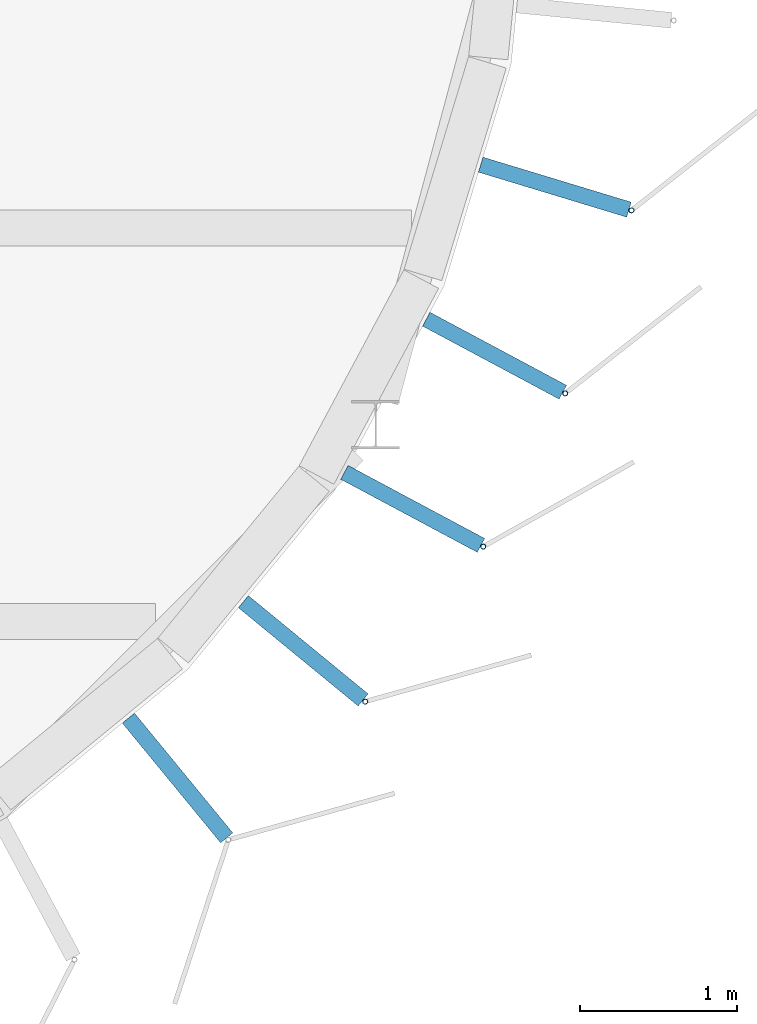
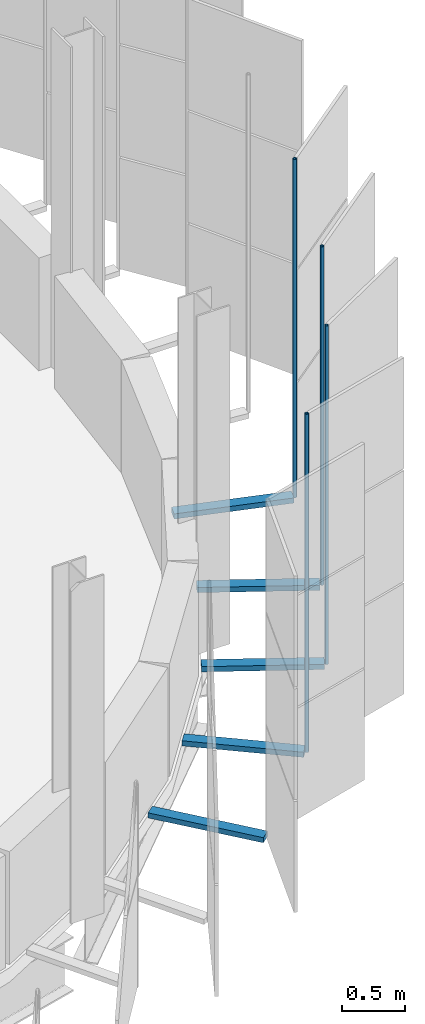
# One storey, part 93 of 199: 9 discrete accessories.
"""IFC4 building model written with IfcOpenShell, lengths in metres."""

from ifc_helpers import new_model, si_unit, direction, frame, origin, origin_2d, place, context, subcontext, project, spatial, rectangle, hollow_circle, extrude, material, material_profile, profile_set, type_object, element, save


model = new_model("IFC4")

# Units and contexts
model_context = context("Model", 3, precision=1e-05, world=origin(), true_north=direction((0.0, 1.0)))
body_context = subcontext(model_context, "Body", "Model", "MODEL_VIEW")
ifc_project = project(units=[si_unit("LENGTHUNIT", "METRE"), si_unit("AREAUNIT", "SQUARE_METRE"), si_unit("VOLUMEUNIT", "CUBIC_METRE"), si_unit("PLANEANGLEUNIT", "RADIAN"), si_unit("MASSUNIT", "GRAM", prefix="KILO")], contexts=[model_context])

# Site, building, storey
site_placement = place(None, origin())
site = spatial("IfcSite", under=ifc_project, at=site_placement, CompositionType="ELEMENT")
building_placement = place(site_placement, origin())
building = spatial("IfcBuilding", under=site, at=building_placement, Name="Parallax Yard Mobility Hub", CompositionType="ELEMENT")
storey_placement = place(building_placement, frame((0.0, 0.0, 9.89990234375)))
storey = spatial("IfcBuildingStorey", under=building, at=storey_placement, Name="L03", CompositionType="ELEMENT", Elevation=9.89990234375)

# Discrete accessories
ifc_material_1 = material(Name="Steel ASTM A36, hot-dip galvanised", Category="steel")
discrete_accessory_type_1 = type_object("IfcDiscreteAccessoryType", Name="Hinge bracket plate 100x50", PredefinedType="BRACKET", material=ifc_material_1)
for number, where, z_axis, x_axis, name in (
    (1, (222.73681640625, 24.006103515625, -0.02490234375), (0.0, 0.0, 1.0), (0.634393284164, -0.773010453363, 0.0), "Hinge bracket plate bay 32.6 level L03"),
    (2, (223.535400390625, 24.81396484375, -0.02490234375), (0.0, 0.0, 1.0), (0.773010453363, -0.634393284164, 0.0), "Hinge bracket plate bay 32.7 level L03"),
    (3, (224.230712890625, 25.7158203125, -0.02490234375), (0.0, 0.0, 1.0), (0.881921264348, -0.471396736826, 0.0), "Hinge bracket plate bay 32.8 level L03"),
    (4, (224.750732421875, 26.68896484375, -0.02490234375), (0.0, 0.0, 1.0), (0.881921264348, -0.471396736826, 0.0), "Hinge bracket plate bay 32.9 level L03"),
    (5, (225.1337890625, 27.759765625, -0.02490234375), (0.0, 0.0, 1.0), (0.956940335732, -0.290284677254, 0.0), "Hinge bracket plate bay 32.10 level L03"),
):
    element("IfcDiscreteAccessory", number, at=place(storey_placement, frame(where, z_axis=z_axis, x_axis=x_axis)), inside=storey, type_object=discrete_accessory_type_1, Name=name, PredefinedType="BRACKET", context=body_context, shape_type="SweptSolid", body=[
        extrude(rectangle(XDim=0.984130859375, YDim=0.10009765625, at=origin_2d()), origin(), (0.0, 0.0, 1.0), 0.050048828125),
    ])
ifc_material_2 = material(Name="Steel ASTM A500 Gr C, hot-dip galvanised", Category="steel")
ifc_material_profile = material_profile(ifc_material_2, hollow_circle(Radius=0.016845703125, WallThickness=0.003173828125, at=origin_2d()), Name="CHS 33.7x3.2")
ifc_profile_set = profile_set([ifc_material_profile], Name="Steel ASTM A500 Gr C, hot-dip galvanised")
discrete_accessory_type_2 = type_object("IfcDiscreteAccessoryType", Name="Hinge post CHS 33.7x3.2", PredefinedType="BRACKET", material=ifc_profile_set)
for number, where, z_axis, x_axis, name in (
    (6, (223.928466796875, 24.491455078125, 0.0), (0.0, 0.0, 1.0), (1.0, 0.0, 0.0), "Hinge post bay 32.7 level L03"),
    (7, (224.678955078125, 25.47607421875, 0.0), (0.0, 0.0, 1.0), (1.0, 0.0, 0.0), "Hinge post bay 32.8 level L03"),
    (8, (225.19921875, 26.44921875, 0.0), (0.0, 0.0, 1.0), (1.0, 0.0, 0.0), "Hinge post bay 32.9 level L03"),
    (9, (225.620361328125, 27.6123046875, 0.0), (0.0, 0.0, 1.0), (1.0, 0.0, 0.0), "Hinge post bay 32.10 level L03"),
):
    element("IfcDiscreteAccessory", number, at=place(storey_placement, frame(where, z_axis=z_axis, x_axis=x_axis)), inside=storey, type_object=discrete_accessory_type_2, Name=name, PredefinedType="BRACKET", context=body_context, shape_type="SweptSolid", body=[
        extrude(hollow_circle(Radius=0.016845703125, WallThickness=0.003173828125, at=origin_2d()), origin(), (0.0, 0.0, 1.0), 3.300048828125),
    ])

save(model, "model.ifc")
